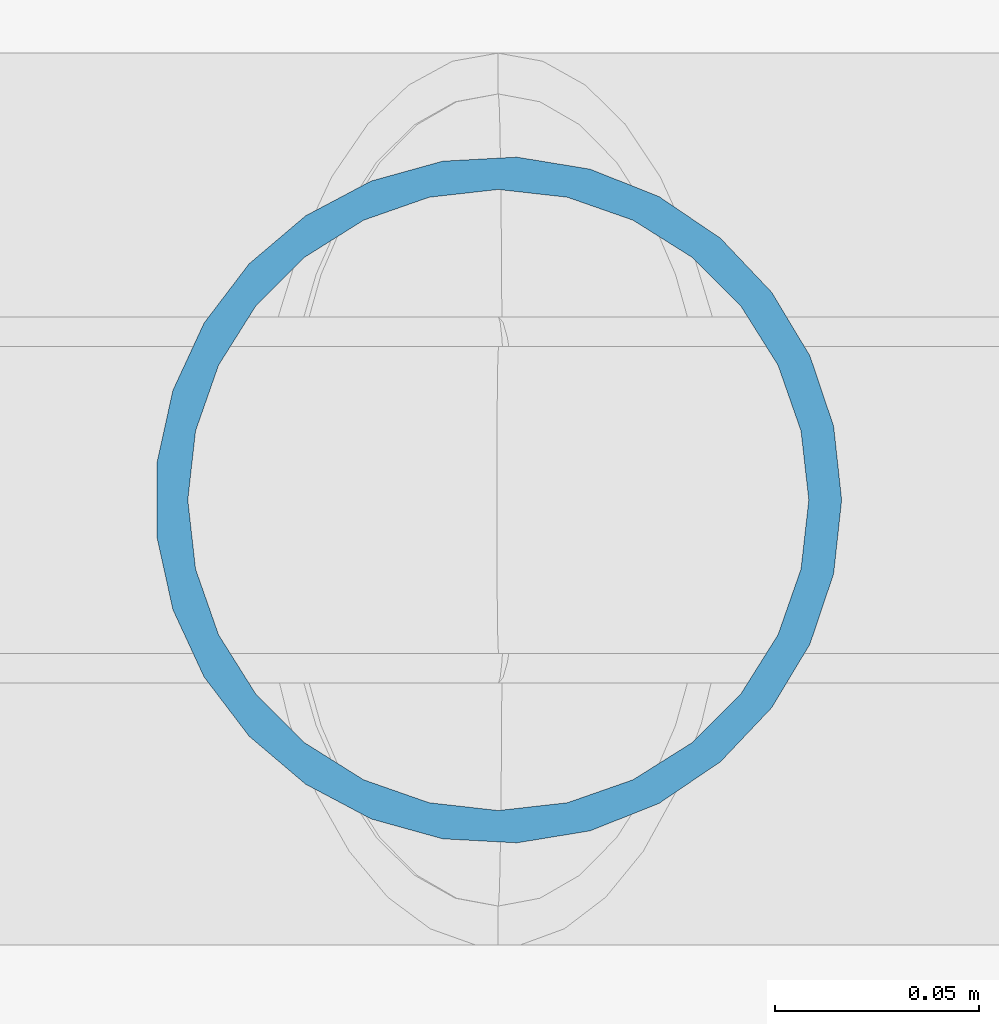
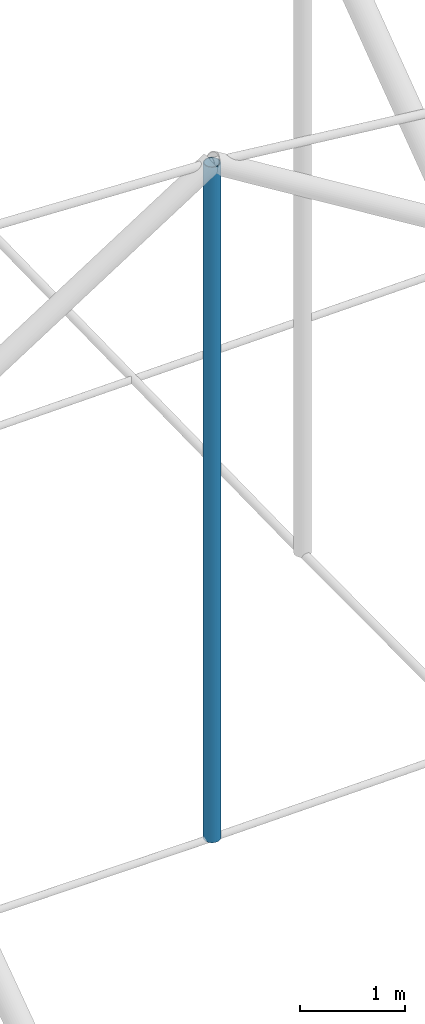
# One storey, part 70 of 173: 1 member.
"""IFC4 building model written with IfcOpenShell, lengths in metres."""

from ifc_helpers import new_model, si_unit, direction, frame, origin, origin_2d, place, context, subcontext, project, spatial, hollow_circle, extrude, material, material_profile, profile_set, type_object, element, save


model = new_model("IFC4")

# Units and contexts
model_context = context("Model", 3, precision=1e-05, world=origin(), true_north=direction((0.0, 1.0)))
body_context = subcontext(model_context, "Body", "Model", "MODEL_VIEW")
ifc_project = project(units=[si_unit("LENGTHUNIT", "METRE"), si_unit("AREAUNIT", "SQUARE_METRE"), si_unit("VOLUMEUNIT", "CUBIC_METRE"), si_unit("PLANEANGLEUNIT", "RADIAN"), si_unit("MASSUNIT", "GRAM", prefix="KILO")], contexts=[model_context])

# Site, building, storey
site_placement = place(None, origin())
site = spatial("IfcSite", under=ifc_project, at=site_placement, CompositionType="ELEMENT")
building_placement = place(site_placement, origin())
building = spatial("IfcBuilding", under=site, at=building_placement, Name="Glasvene Arena", CompositionType="ELEMENT")
storey_placement = place(building_placement, frame((0.0, 0.0, 28.800048828125)))
storey = spatial("IfcBuildingStorey", under=building, at=storey_placement, Name="RF", CompositionType="ELEMENT", Elevation=28.800048828125)

# Member
ifc_material = material(Name="Steel S355J2", Category="steel")
ifc_material_profile = material_profile(ifc_material, hollow_circle(Radius=0.084228515625, WallThickness=0.008056640625, at=origin_2d()), Name="CHS 168.3x8.0")
ifc_profile_set = profile_set([ifc_material_profile], Name="Steel S355J2")
member_type = type_object("IfcMemberType", Name="MB-WEB-CHS168", PredefinedType="BRACE", material=ifc_profile_set)
member_placement = place(storey_placement, frame((104.34619140625, 80.03955078125, -2.328125), z_axis=(0.0, 0.0, 1.0), x_axis=(1.0, 0.0, 0.0)))
element("IfcMember", 1, at=member_placement, inside=storey, type_object=member_type, Name="Cable-truss vertical strut EW05-05", PredefinedType="BRACE", context=body_context, shape_type="SweptSolid", body=[
    extrude(hollow_circle(Radius=0.084228515625, WallThickness=0.008056640625, at=origin_2d()), origin(), (0.0, 0.0, 1.0), 7.827392578125),
])

save(model, "model.ifc")
